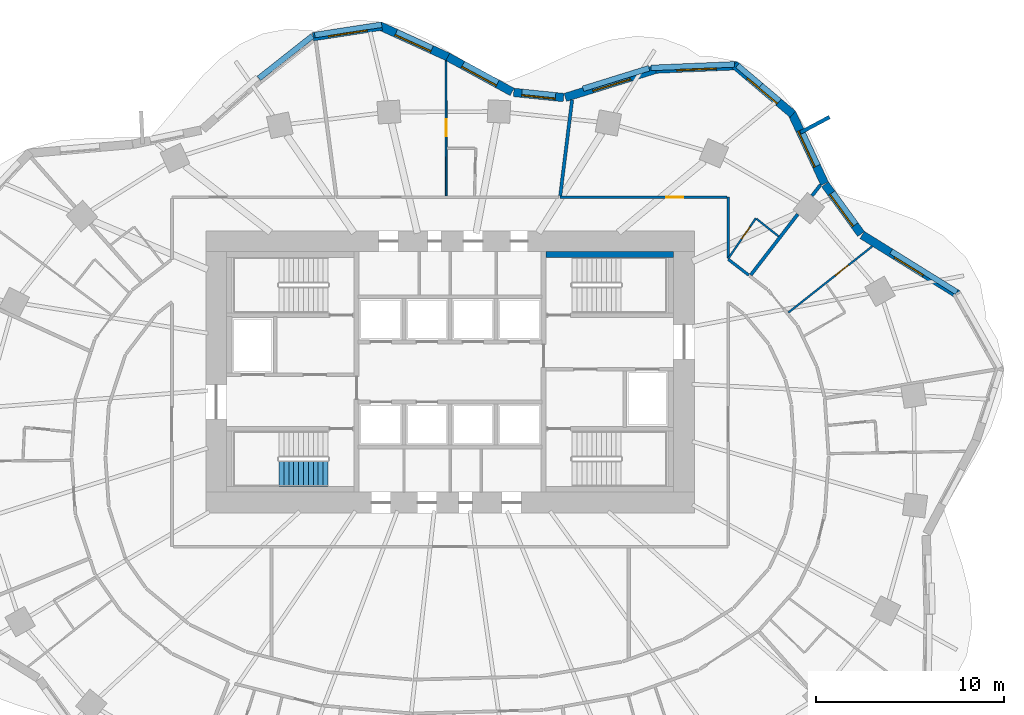
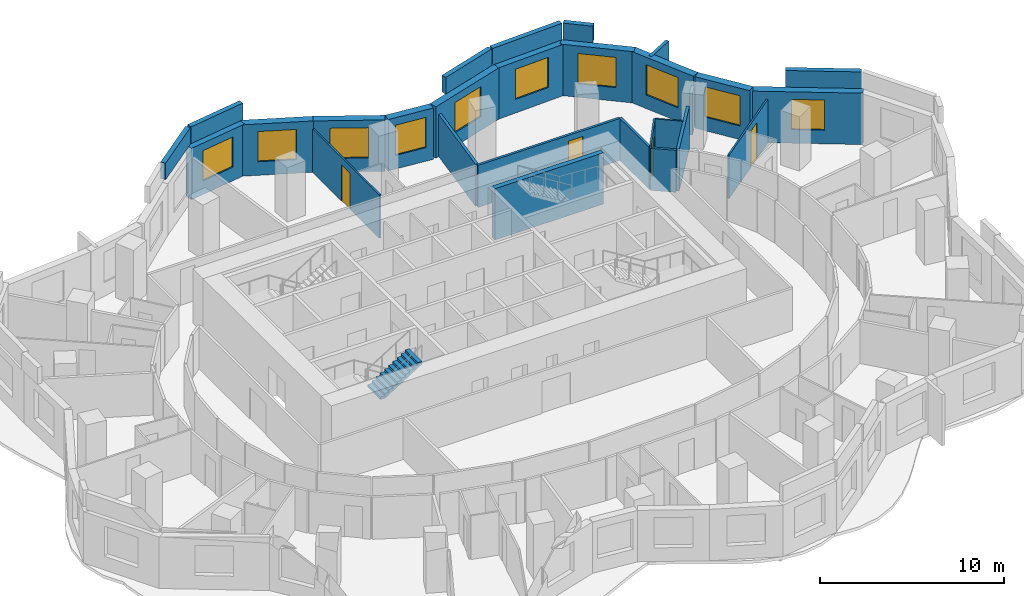
# One storey, part 9 of 11: 28 walls, 10 windows, 4 doors, 1 stair flight, 14 openings, 1 element without a shape of its own.
"""IFC4 building model written with IfcOpenShell, lengths in metres."""

from ifc_helpers import new_model, si_unit, direction, frame, frame_2d, origin, place, context, subcontext, project, spatial, polyline, rectangle, outline, extrude, material, layer, layer_set, type_object, element, fill, aggregate, save


model = new_model("IFC4")

# Units and contexts
model_context = context("Model", 3, precision=1e-05, world=origin(), true_north=direction((0.0, 1.0)))
body_context = subcontext(model_context, "Body", "Model", "MODEL_VIEW")
ifc_project = project(units=[si_unit("LENGTHUNIT", "METRE"), si_unit("AREAUNIT", "SQUARE_METRE"), si_unit("VOLUMEUNIT", "CUBIC_METRE"), si_unit("PLANEANGLEUNIT", "RADIAN"), si_unit("MASSUNIT", "GRAM", prefix="KILO")], contexts=[model_context])

# Site, building, storey
site_placement = place(None, origin())
site = spatial("IfcSite", under=ifc_project, at=site_placement, CompositionType="ELEMENT")
building_placement = place(site_placement, origin())
building = spatial("IfcBuilding", under=site, at=building_placement, Name="Rubra Terraces Tower", CompositionType="ELEMENT")
storey_placement = place(building_placement, frame((0.0, 0.0, 114.0)))
storey = spatial("IfcBuildingStorey", under=building, at=storey_placement, Name="L27", CompositionType="ELEMENT", Elevation=114.0)

# Walls
ifc_material_1 = material(Name="Twin plasterboard on staggered steel stud, acoustic mineral wool", Category="steel")
ifc_layer_1 = layer(ifc_material_1, 0.175048828125)
ifc_layer_set_1 = layer_set([ifc_layer_1], Name="Twin plasterboard on staggered steel stud, acoustic mineral wool")
wall_type_1 = type_object("IfcWallType", Name="ACOUSTIC PARTY WALL 175", PredefinedType="PARTITIONING", material=ifc_layer_set_1)
wall_1_placement = place(storey_placement, frame((19.7109375, 14.45849609375, 0.0), z_axis=(0.0, 0.0, 1.0), x_axis=(-0.611598358188, -0.791168407017, 0.0)))
element("IfcWall", 1, at=wall_1_placement, inside=storey, type_object=wall_type_1, Name="PARTITION", PredefinedType="PARTITIONING", context=body_context, shape_type="SweptSolid", body=[
    extrude(rectangle(XDim=0.73681640625, YDim=0.175048828125, at=frame_2d((0.368408203125, 0.0))), origin(), (0.0, 0.0, 1.0), 2.783935546875),
])
wall_2_placement = place(storey_placement, frame((18.50146484375, 12.893798828125, 0.0), z_axis=(0.0, 0.0, 1.0), x_axis=(-0.611500237987, -0.791244247335, 0.0)))
element("IfcWall", 2, at=wall_2_placement, inside=storey, type_object=wall_type_1, Name="PARTITION", PredefinedType="PARTITIONING", context=body_context, shape_type="SweptSolid", body=[
    extrude(rectangle(XDim=4.084228515625, YDim=0.175048828125, at=frame_2d((2.0419921875, 0.0))), origin(), (0.0, 0.0, 1.0), 2.783935546875),
])
wall_3_placement = place(storey_placement, frame((6.4931640625, 18.982421875, 0.0), z_axis=(0.0, 0.0, 1.0), x_axis=(-0.122808633413, -0.992430370131, 0.0)))
element("IfcWall", 3, at=wall_3_placement, inside=storey, type_object=wall_type_1, Name="PARTITION", PredefinedType="PARTITIONING", context=body_context, shape_type="SweptSolid", body=[
    extrude(rectangle(XDim=5.14697265625, YDim=0.175048828125, at=frame_2d((2.573486328125, 0.0))), origin(), (0.0, 0.0, 1.0), 2.783935546875),
])

# Wall, opening, window
ifc_material_2 = material(Name="Brick masonry red-brown", Category="masonry")
ifc_layer_2 = layer(ifc_material_2, 0.449951171875)
ifc_layer_set_2 = layer_set([ifc_layer_2], Name="Brick masonry red-brown")
wall_type_2 = type_object("IfcWallType", Name="Brick facade wall 450", PredefinedType="SOLIDWALL", material=ifc_layer_set_2)
wall_4_placement = place(storey_placement, frame((27.01611328125, 8.6259765625, 0.0), z_axis=(0.0, 0.0, 1.0), x_axis=(-0.849198377377, 0.528073968172, 0.0)))
wall_4 = element("IfcWall", 4, at=wall_4_placement, inside=storey, type_object=wall_type_2, Name="Facade wall L27 bay 3", PredefinedType="SOLIDWALL", context=body_context, shape_type="SweptSolid", body=[
    extrude(rectangle(XDim=5.989501953125, YDim=0.449951171875, at=frame_2d((2.99462890625, 0.0))), origin(), (0.0, 0.0, 1.0), 3.39990234375),
])
opening_1_placement = place(wall_4_placement, frame((2.0947265625, 0.0, 0.89990234375)))
opening_1 = element("IfcOpeningElement", 5, at=opening_1_placement, cuts=wall_4, Name="Opening W6", PredefinedType="OPENING", context=body_context, shape_type="SweptSolid", body=[
    extrude(rectangle(XDim=1.800048828125, YDim=2.0, at=frame_2d((0.89990234375, 1.0))), frame((0.0, 0.23486328125, 0.0), z_axis=(0.0, -1.0, 0.0), x_axis=(1.0, 0.0, 0.0)), (0.0, 0.0, 1.0), 0.469970703125),
])
ifc_material_3 = material(Name="Clear glass in aluminium frame", Category="aluminium")
window_type_1 = type_object("IfcWindowType", Name="Fixed deep-set window at wind fin 1800 x 2000", PartitioningType="SINGLE_PANEL", PredefinedType="WINDOW", material=ifc_material_3)
window_1_placement = place(opening_1_placement, origin())
window_1 = element("IfcWindow", 6, at=window_1_placement, inside=storey, type_object=window_type_1, Name="Window L27 bay 3", OverallHeight=2.0, OverallWidth=1.800048828125, PartitioningType="SINGLE_PANEL", PredefinedType="WINDOW", context=body_context, shape_type="SweptSolid", body=[
    extrude(rectangle(XDim=1.800048828125, YDim=2.0, at=frame_2d((0.89990234375, 1.0))), frame((0.0, 0.135009765625, 0.0), z_axis=(0.0, -1.0, 0.0), x_axis=(1.0, 0.0, 0.0)), (0.0, 0.0, 1.0), 0.06005859375),
])
fill(opening_1, window_1)

wall_5_placement = place(storey_placement, frame((21.872314453125, 11.840576171875, 0.0), z_axis=(0.0, 0.0, 1.0), x_axis=(-0.587562050363, 0.809179113036, 0.0)))
wall_5 = element("IfcWall", 7, at=wall_5_placement, inside=storey, type_object=wall_type_2, Name="Facade wall L27 bay 4", PredefinedType="SOLIDWALL", context=body_context, shape_type="SweptSolid", body=[
    extrude(rectangle(XDim=3.262939453125, YDim=0.449951171875, at=frame_2d((1.63134765625, 0.0))), origin(), (0.0, 0.0, 1.0), 3.39990234375),
])
opening_2_placement = place(wall_5_placement, frame((0.58154296875, 0.0, 0.89990234375)))
opening_2 = element("IfcOpeningElement", 8, at=opening_2_placement, cuts=wall_5, Name="Opening W1", PredefinedType="OPENING", context=body_context, shape_type="SweptSolid", body=[
    extrude(rectangle(XDim=2.10009765625, YDim=2.0, at=frame_2d((1.050048828125, 1.0))), frame((0.0, 0.23486328125, 0.0), z_axis=(0.0, -1.0, 0.0), x_axis=(1.0, 0.0, 0.0)), (0.0, 0.0, 1.0), 0.469970703125),
])
window_type_2 = type_object("IfcWindowType", Name="Fixed deep-set window 2100 x 2000", PartitioningType="SINGLE_PANEL", PredefinedType="WINDOW", material=ifc_material_3)
window_2_placement = place(opening_2_placement, origin())
window_2 = element("IfcWindow", 9, at=window_2_placement, inside=storey, type_object=window_type_2, Name="Window L27 bay 4", OverallHeight=2.0, OverallWidth=2.10009765625, PartitioningType="SINGLE_PANEL", PredefinedType="WINDOW", context=body_context, shape_type="SweptSolid", body=[
    extrude(rectangle(XDim=2.10009765625, YDim=2.0, at=frame_2d((1.050048828125, 1.0))), frame((0.0, 0.135009765625, 0.0), z_axis=(0.0, -1.0, 0.0), x_axis=(1.0, 0.0, 0.0)), (0.0, 0.0, 1.0), 0.06005859375),
])
fill(opening_2, window_2)

wall_6_placement = place(storey_placement, frame((19.9306640625, 14.519287109375, 0.0), z_axis=(0.0, 0.0, 1.0), x_axis=(-0.421138964136, 0.906996126169, 0.0)))
wall_6 = element("IfcWall", 10, at=wall_6_placement, inside=storey, type_object=wall_type_2, Name="Facade wall L27 bay 5", PredefinedType="SOLIDWALL", context=body_context, shape_type="SweptSolid", body=[
    extrude(rectangle(XDim=4.149658203125, YDim=0.449951171875, at=frame_2d((2.07470703125, 0.0))), origin(), (0.0, 0.0, 1.0), 3.39990234375),
])
opening_3_placement = place(wall_6_placement, frame((1.02490234375, 0.0, 0.89990234375)))
opening_3 = element("IfcOpeningElement", 11, at=opening_3_placement, cuts=wall_6, Name="Opening W1", PredefinedType="OPENING", context=body_context, shape_type="SweptSolid", body=[
    extrude(rectangle(XDim=2.10009765625, YDim=2.0, at=frame_2d((1.050048828125, 1.0))), frame((0.0, 0.23486328125, 0.0), z_axis=(0.0, -1.0, 0.0), x_axis=(1.0, 0.0, 0.0)), (0.0, 0.0, 1.0), 0.469970703125),
])
window_3_placement = place(opening_3_placement, origin())
window_3 = element("IfcWindow", 12, at=window_3_placement, inside=storey, type_object=window_type_2, Name="Window L27 bay 5", OverallHeight=2.0, OverallWidth=2.10009765625, PartitioningType="SINGLE_PANEL", PredefinedType="WINDOW", context=body_context, shape_type="SweptSolid", body=[
    extrude(rectangle(XDim=2.10009765625, YDim=2.0, at=frame_2d((1.050048828125, 1.0))), frame((0.0, 0.135009765625, 0.0), z_axis=(0.0, -1.0, 0.0), x_axis=(1.0, 0.0, 0.0)), (0.0, 0.0, 1.0), 0.06005859375),
])
fill(opening_3, window_3)

wall_7_placement = place(storey_placement, frame((18.23828125, 18.21240234375, 0.0), z_axis=(0.0, 0.0, 1.0), x_axis=(-0.762479604733, 0.647012250554, 0.0)))
wall_7 = element("IfcWall", 13, at=wall_7_placement, inside=storey, type_object=wall_type_2, Name="Facade wall L27 bay 6", PredefinedType="SOLIDWALL", context=body_context, shape_type="SweptSolid", body=[
    extrude(rectangle(XDim=4.07861328125, YDim=0.449951171875, at=frame_2d((2.039306640625, 0.0))), origin(), (0.0, 0.0, 1.0), 3.39990234375),
])
opening_4_placement = place(wall_7_placement, frame((0.989501953125, 0.0, 0.89990234375)))
opening_4 = element("IfcOpeningElement", 14, at=opening_4_placement, cuts=wall_7, Name="Opening W1", PredefinedType="OPENING", context=body_context, shape_type="SweptSolid", body=[
    extrude(rectangle(XDim=2.10009765625, YDim=2.0, at=frame_2d((1.050048828125, 1.0))), frame((0.0, 0.23486328125, 0.0), z_axis=(0.0, -1.0, 0.0), x_axis=(1.0, 0.0, 0.0)), (0.0, 0.0, 1.0), 0.469970703125),
])
window_4_placement = place(opening_4_placement, origin())
window_4 = element("IfcWindow", 15, at=window_4_placement, inside=storey, type_object=window_type_2, Name="Window L27 bay 6", OverallHeight=2.0, OverallWidth=2.10009765625, PartitioningType="SINGLE_PANEL", PredefinedType="WINDOW", context=body_context, shape_type="SweptSolid", body=[
    extrude(rectangle(XDim=2.10009765625, YDim=2.0, at=frame_2d((1.050048828125, 1.0))), frame((0.0, 0.135009765625, 0.0), z_axis=(0.0, -1.0, 0.0), x_axis=(1.0, 0.0, 0.0)), (0.0, 0.0, 1.0), 0.06005859375),
])
fill(opening_4, window_4)

wall_8_placement = place(storey_placement, frame((15.283447265625, 20.798095703125, 0.0), z_axis=(0.0, 0.0, 1.0), x_axis=(-0.999108814386, -0.042208731526, 0.0)))
wall_8 = element("IfcWall", 16, at=wall_8_placement, inside=storey, type_object=wall_type_2, Name="Facade wall L27 bay 7", PredefinedType="SOLIDWALL", context=body_context, shape_type="SweptSolid", body=[
    extrude(rectangle(XDim=4.338134765625, YDim=0.449951171875, at=frame_2d((2.1689453125, 0.0))), origin(), (0.0, 0.0, 1.0), 3.39990234375),
])
opening_5_placement = place(wall_8_placement, frame((1.119140625, 0.0, 0.89990234375)))
opening_5 = element("IfcOpeningElement", 17, at=opening_5_placement, cuts=wall_8, Name="Opening W1", PredefinedType="OPENING", context=body_context, shape_type="SweptSolid", body=[
    extrude(rectangle(XDim=2.10009765625, YDim=2.0, at=frame_2d((1.050048828125, 1.0))), frame((0.0, 0.23486328125, 0.0), z_axis=(0.0, -1.0, 0.0), x_axis=(1.0, 0.0, 0.0)), (0.0, 0.0, 1.0), 0.469970703125),
])
window_5_placement = place(opening_5_placement, origin())
window_5 = element("IfcWindow", 18, at=window_5_placement, inside=storey, type_object=window_type_2, Name="Window L27 bay 7", OverallHeight=2.0, OverallWidth=2.10009765625, PartitioningType="SINGLE_PANEL", PredefinedType="WINDOW", context=body_context, shape_type="SweptSolid", body=[
    extrude(rectangle(XDim=2.10009765625, YDim=2.0, at=frame_2d((1.050048828125, 1.0))), frame((0.0, 0.135009765625, 0.0), z_axis=(0.0, -1.0, 0.0), x_axis=(1.0, 0.0, 0.0)), (0.0, 0.0, 1.0), 0.06005859375),
])
fill(opening_5, window_5)

wall_9_placement = place(storey_placement, frame((11.006591796875, 20.625, 0.0), z_axis=(0.0, 0.0, 1.0), x_axis=(-0.954949254112, -0.296769139352, 0.0)))
wall_9 = element("IfcWall", 19, at=wall_9_placement, inside=storey, type_object=wall_type_2, Name="Facade wall L27 bay 8", PredefinedType="SOLIDWALL", context=body_context, shape_type="SweptSolid", body=[
    extrude(rectangle(XDim=5.106201171875, YDim=0.449951171875, at=frame_2d((2.55322265625, 0.0))), origin(), (0.0, 0.0, 1.0), 3.39990234375),
])
opening_6_placement = place(wall_9_placement, frame((1.503173828125, 0.0, 0.89990234375)))
opening_6 = element("IfcOpeningElement", 20, at=opening_6_placement, cuts=wall_9, Name="Opening W1", PredefinedType="OPENING", context=body_context, shape_type="SweptSolid", body=[
    extrude(rectangle(XDim=2.10009765625, YDim=2.0, at=frame_2d((1.050048828125, 1.0))), frame((0.0, 0.23486328125, 0.0), z_axis=(0.0, -1.0, 0.0), x_axis=(1.0, 0.0, 0.0)), (0.0, 0.0, 1.0), 0.469970703125),
])
window_6_placement = place(opening_6_placement, origin())
window_6 = element("IfcWindow", 21, at=window_6_placement, inside=storey, type_object=window_type_2, Name="Window L27 bay 8", OverallHeight=2.0, OverallWidth=2.10009765625, PartitioningType="SINGLE_PANEL", PredefinedType="WINDOW", context=body_context, shape_type="SweptSolid", body=[
    extrude(rectangle(XDim=2.10009765625, YDim=2.0, at=frame_2d((1.050048828125, 1.0))), frame((0.0, 0.135009765625, 0.0), z_axis=(0.0, -1.0, 0.0), x_axis=(1.0, 0.0, 0.0)), (0.0, 0.0, 1.0), 0.06005859375),
])
fill(opening_6, window_6)

wall_10_placement = place(storey_placement, frame((6.040283203125, 19.1005859375, 0.0), z_axis=(0.0, 0.0, 1.0), x_axis=(-0.994675968472, 0.103052014752, 0.0)))
wall_10 = element("IfcWall", 22, at=wall_10_placement, inside=storey, type_object=wall_type_2, Name="Facade wall L27 bay 9", PredefinedType="SOLIDWALL", context=body_context, shape_type="SweptSolid", body=[
    extrude(rectangle(XDim=2.669921875, YDim=0.449951171875, at=frame_2d((1.3349609375, 0.0))), origin(), (0.0, 0.0, 1.0), 3.39990234375),
])
opening_7_placement = place(wall_10_placement, frame((0.43505859375, 0.0, 0.89990234375)))
opening_7 = element("IfcOpeningElement", 23, at=opening_7_placement, cuts=wall_10, Name="Opening W6", PredefinedType="OPENING", context=body_context, shape_type="SweptSolid", body=[
    extrude(rectangle(XDim=1.800048828125, YDim=2.0, at=frame_2d((0.89990234375, 1.0))), frame((0.0, 0.23486328125, 0.0), z_axis=(0.0, -1.0, 0.0), x_axis=(1.0, 0.0, 0.0)), (0.0, 0.0, 1.0), 0.469970703125),
])
window_7_placement = place(opening_7_placement, origin())
window_7 = element("IfcWindow", 24, at=window_7_placement, inside=storey, type_object=window_type_1, Name="Window L27 bay 9", OverallHeight=2.0, OverallWidth=1.800048828125, PartitioningType="SINGLE_PANEL", PredefinedType="WINDOW", context=body_context, shape_type="SweptSolid", body=[
    extrude(rectangle(XDim=1.800048828125, YDim=2.0, at=frame_2d((0.89990234375, 1.0))), frame((0.0, 0.135009765625, 0.0), z_axis=(0.0, -1.0, 0.0), x_axis=(1.0, 0.0, 0.0)), (0.0, 0.0, 1.0), 0.06005859375),
])
fill(opening_7, window_7)

wall_11_placement = place(storey_placement, frame((3.302001953125, 19.40087890625, 0.0), z_axis=(0.0, 0.0, 1.0), x_axis=(-0.878060540763, 0.47854956562, 0.0)))
wall_11 = element("IfcWall", 25, at=wall_11_placement, inside=storey, type_object=wall_type_2, Name="Facade wall L27 bay 10", PredefinedType="SOLIDWALL", context=body_context, shape_type="SweptSolid", body=[
    extrude(rectangle(XDim=3.9013671875, YDim=0.449951171875, at=frame_2d((1.95068359375, 0.0))), origin(), (0.0, 0.0, 1.0), 3.39990234375),
])
opening_8_placement = place(wall_11_placement, frame((0.900634765625, 0.0, 0.89990234375)))
opening_8 = element("IfcOpeningElement", 26, at=opening_8_placement, cuts=wall_11, Name="Opening W1", PredefinedType="OPENING", context=body_context, shape_type="SweptSolid", body=[
    extrude(rectangle(XDim=2.10009765625, YDim=2.0, at=frame_2d((1.050048828125, 1.0))), frame((0.0, 0.23486328125, 0.0), z_axis=(0.0, -1.0, 0.0), x_axis=(1.0, 0.0, 0.0)), (0.0, 0.0, 1.0), 0.469970703125),
])
window_8_placement = place(opening_8_placement, origin())
window_8 = element("IfcWindow", 27, at=window_8_placement, inside=storey, type_object=window_type_2, Name="Window L27 bay 10", OverallHeight=2.0, OverallWidth=2.10009765625, PartitioningType="SINGLE_PANEL", PredefinedType="WINDOW", context=body_context, shape_type="SweptSolid", body=[
    extrude(rectangle(XDim=2.10009765625, YDim=2.0, at=frame_2d((1.050048828125, 1.0))), frame((0.0, 0.135009765625, 0.0), z_axis=(0.0, -1.0, 0.0), x_axis=(1.0, 0.0, 0.0)), (0.0, 0.0, 1.0), 0.06005859375),
])
fill(opening_8, window_8)

wall_12_placement = place(storey_placement, frame((-0.109130859375, 21.260986328125, 0.0), z_axis=(0.0, 0.0, 1.0), x_axis=(-0.910040573706, 0.414519184367, 0.0)))
wall_12 = element("IfcWall", 28, at=wall_12_placement, inside=storey, type_object=wall_type_2, Name="Facade wall L27 bay 11", PredefinedType="SOLIDWALL", context=body_context, shape_type="SweptSolid", body=[
    extrude(rectangle(XDim=4.005615234375, YDim=0.449951171875, at=frame_2d((2.0029296875, 0.0))), origin(), (0.0, 0.0, 1.0), 3.39990234375),
])
opening_9_placement = place(wall_12_placement, frame((0.952880859375, 0.0, 0.89990234375)))
opening_9 = element("IfcOpeningElement", 29, at=opening_9_placement, cuts=wall_12, Name="Opening W1", PredefinedType="OPENING", context=body_context, shape_type="SweptSolid", body=[
    extrude(rectangle(XDim=2.10009765625, YDim=2.0, at=frame_2d((1.050048828125, 1.0))), frame((0.0, 0.23486328125, 0.0), z_axis=(0.0, -1.0, 0.0), x_axis=(1.0, 0.0, 0.0)), (0.0, 0.0, 1.0), 0.469970703125),
])
window_9_placement = place(opening_9_placement, origin())
window_9 = element("IfcWindow", 30, at=window_9_placement, inside=storey, type_object=window_type_2, Name="Window L27 bay 11", OverallHeight=2.0, OverallWidth=2.10009765625, PartitioningType="SINGLE_PANEL", PredefinedType="WINDOW", context=body_context, shape_type="SweptSolid", body=[
    extrude(rectangle(XDim=2.10009765625, YDim=2.0, at=frame_2d((1.050048828125, 1.0))), frame((0.0, 0.135009765625, 0.0), z_axis=(0.0, -1.0, 0.0), x_axis=(1.0, 0.0, 0.0)), (0.0, 0.0, 1.0), 0.06005859375),
])
fill(opening_9, window_9)

wall_13_placement = place(storey_placement, frame((-3.628662109375, 22.904541015625, 0.0), z_axis=(0.0, 0.0, 1.0), x_axis=(-0.988300084321, -0.152521943772, 0.0)))
wall_13 = element("IfcWall", 31, at=wall_13_placement, inside=storey, type_object=wall_type_2, Name="Facade wall L27 bay 12", PredefinedType="SOLIDWALL", context=body_context, shape_type="SweptSolid", body=[
    extrude(rectangle(XDim=3.71044921875, YDim=0.449951171875, at=frame_2d((1.855224609375, 0.0))), origin(), (0.0, 0.0, 1.0), 3.39990234375),
])
opening_10_placement = place(wall_13_placement, frame((0.80517578125, 0.0, 0.89990234375)))
opening_10 = element("IfcOpeningElement", 32, at=opening_10_placement, cuts=wall_13, Name="Opening W1", PredefinedType="OPENING", context=body_context, shape_type="SweptSolid", body=[
    extrude(rectangle(XDim=2.10009765625, YDim=2.0, at=frame_2d((1.050048828125, 1.0))), frame((0.0, 0.23486328125, 0.0), z_axis=(0.0, -1.0, 0.0), x_axis=(1.0, 0.0, 0.0)), (0.0, 0.0, 1.0), 0.469970703125),
])
window_10_placement = place(opening_10_placement, origin())
window_10 = element("IfcWindow", 33, at=window_10_placement, inside=storey, type_object=window_type_2, Name="Window L27 bay 12", OverallHeight=2.0, OverallWidth=2.10009765625, PartitioningType="SINGLE_PANEL", PredefinedType="WINDOW", context=body_context, shape_type="SweptSolid", body=[
    extrude(rectangle(XDim=2.10009765625, YDim=2.0, at=frame_2d((1.050048828125, 1.0))), frame((0.0, 0.135009765625, 0.0), z_axis=(0.0, -1.0, 0.0), x_axis=(1.0, 0.0, 0.0)), (0.0, 0.0, 1.0), 0.06005859375),
])
fill(opening_10, window_10)

# Walls
ifc_layer_3 = layer(ifc_material_2, 0.300048828125)
ifc_layer_set_3 = layer_set([ifc_layer_3], Name="Brick masonry red-brown")
wall_type_3 = type_object("IfcWallType", Name="Brick parapet 300", PredefinedType="PARAPET", material=ifc_layer_set_3)
wall_14_placement = place(storey_placement, frame((26.965087890625, 8.74609375, 3.60009765625), z_axis=(0.0, 0.0, 1.0), x_axis=(-0.849203312007, 0.528066032686, 0.0)))
element("IfcWall", 34, at=wall_14_placement, inside=storey, type_object=wall_type_3, Name="Parapet L27 bay 3", PredefinedType="PARAPET", context=body_context, shape_type="SweptSolid", body=[
    extrude(rectangle(XDim=4.11279296875, YDim=0.300048828125, at=frame_2d((2.056396484375, 0.0))), origin(), (0.0, 0.0, 1.0), 1.099853515625),
])
wall_15_placement = place(storey_placement, frame((16.54150390625, 19.75048828125, 3.60009765625), z_axis=(0.0, 0.0, 1.0), x_axis=(-0.762426907318, 0.647074347349, 0.0)))
element("IfcWall", 35, at=wall_15_placement, inside=storey, type_object=wall_type_3, Name="Parapet L27 bay 6", PredefinedType="PARAPET", context=body_context, shape_type="SweptSolid", body=[
    extrude(rectangle(XDim=1.642333984375, YDim=0.300048828125, at=frame_2d((0.8212890625, 0.0))), origin(), (0.0, 0.0, 1.0), 1.099853515625),
])
wall_16_placement = place(storey_placement, frame((15.133056640625, 20.866943359375, 3.60009765625), z_axis=(0.0, 0.0, 1.0), x_axis=(-0.999109914186, -0.042182690458, 0.0)))
element("IfcWall", 36, at=wall_16_placement, inside=storey, type_object=wall_type_3, Name="Parapet L27 bay 7", PredefinedType="PARAPET", context=body_context, shape_type="SweptSolid", body=[
    extrude(rectangle(XDim=4.45068359375, YDim=0.300048828125, at=frame_2d((2.225341796875, 0.0))), origin(), (0.0, 0.0, 1.0), 1.099853515625),
])
wall_17_placement = place(storey_placement, frame((10.589599609375, 20.662353515625, 3.60009765625), z_axis=(0.0, 0.0, 1.0), x_axis=(-0.954933257017, -0.296820610207, 0.0)))
element("IfcWall", 37, at=wall_17_placement, inside=storey, type_object=wall_type_3, Name="Parapet L27 bay 8", PredefinedType="PARAPET", context=body_context, shape_type="SweptSolid", body=[
    extrude(rectangle(XDim=3.6806640625, YDim=0.300048828125, at=frame_2d((1.84033203125, 0.0))), origin(), (0.0, 0.0, 1.0), 1.099853515625),
])
wall_18_placement = place(storey_placement, frame((-3.64013671875, 22.978759765625, 3.60009765625), z_axis=(0.0, 0.0, 1.0), x_axis=(-0.988299486994, -0.152525814235, 0.0)))
element("IfcWall", 38, at=wall_18_placement, inside=storey, type_object=wall_type_3, Name="Parapet L27 bay 12", PredefinedType="PARAPET", context=body_context, shape_type="SweptSolid", body=[
    extrude(rectangle(XDim=3.6015625, YDim=0.300048828125, at=frame_2d((1.80078125, 0.0))), origin(), (0.0, 0.0, 1.0), 1.099853515625),
])
wall_19_placement = place(storey_placement, frame((-7.322509765625, 22.375732421875, 3.60009765625), z_axis=(0.0, 0.0, 1.0), x_axis=(-0.784819122577, -0.61972489448, 0.0)))
element("IfcWall", 39, at=wall_19_placement, inside=storey, type_object=wall_type_3, Name="Parapet L27 bay 13", PredefinedType="PARAPET", context=body_context, shape_type="SweptSolid", body=[
    extrude(rectangle(XDim=3.63330078125, YDim=0.300048828125, at=frame_2d((1.816650390625, 0.0))), origin(), (0.0, 0.0, 1.0), 1.099853515625),
])
ifc_layer_4 = layer(ifc_material_2, 0.199951171875)
ifc_layer_set_4 = layer_set([ifc_layer_4], Name="Brick masonry red-brown")
wall_type_4 = type_object("IfcWallType", Name="Brick wind fin 200", PredefinedType="SOLIDWALL", material=ifc_layer_set_4)
wall_20_placement = place(storey_placement, frame((18.65087890625, 17.242919921875, 0.0), z_axis=(0.0, 0.0, 1.0), x_axis=(0.882225472329, 0.470827161466, 0.0)))
element("IfcWall", 40, at=wall_20_placement, inside=storey, type_object=wall_type_4, Name="Wind fin L27 3", PredefinedType="SOLIDWALL", context=body_context, shape_type="SweptSolid", body=[
    extrude(rectangle(XDim=1.75, YDim=0.199951171875, at=frame_2d((0.875, 0.0))), origin(), (0.0, 0.0, 1.0), 3.39990234375),
])
ifc_material_4 = material(Name="Plasterboard on steel stud, mineral wool infill", Category="steel")
ifc_layer_5 = layer(ifc_material_4, 0.14990234375)
ifc_layer_set_5 = layer_set([ifc_layer_5], Name="Plasterboard on steel stud, mineral wool infill")
wall_type_5 = type_object("IfcWallType", Name="CORRIDOR PARTITION 150", PredefinedType="PARTITIONING", material=ifc_layer_set_5)
wall_21_placement = place(storey_placement, frame((15.898681640625, 9.648681640625, 0.0), z_axis=(0.0, 0.0, 1.0), x_axis=(-0.791563451323, 0.611086984421, 0.0)))
element("IfcWall", 41, at=wall_21_placement, inside=storey, type_object=wall_type_5, Name="PARTITION", PredefinedType="PARTITIONING", context=body_context, shape_type="SweptSolid", body=[
    extrude(rectangle(XDim=1.387939453125, YDim=0.14990234375, at=frame_2d((0.69384765625, 0.0))), origin(), (0.0, 0.0, 1.0), 2.783935546875),
])
wall_22_placement = place(storey_placement, frame((14.800048828125, 10.57177734375, 0.0), z_axis=(0.0, 0.0, 1.0), x_axis=(0.0, 1.0, 0.0)))
element("IfcWall", 42, at=wall_22_placement, inside=storey, type_object=wall_type_5, Name="PARTITION", PredefinedType="PARTITIONING", context=body_context, shape_type="SweptSolid", body=[
    extrude(rectangle(XDim=3.228271484375, YDim=0.14990234375, at=frame_2d((1.6142578125, 0.0))), origin(), (0.0, 0.0, 1.0), 2.783935546875),
])

# Wall, opening, door
wall_23_placement = place(storey_placement, frame((14.72509765625, 13.800048828125, 0.0), z_axis=(0.0, 0.0, 1.0), x_axis=(-1.0, 0.0, 0.0)))
wall_23 = element("IfcWall", 43, at=wall_23_placement, inside=storey, type_object=wall_type_5, Name="PARTITION", PredefinedType="PARTITIONING", context=body_context, shape_type="SweptSolid", body=[
    extrude(rectangle(XDim=8.873291015625, YDim=0.14990234375, at=frame_2d((4.4365234375, 0.0))), origin(), (0.0, 0.0, 1.0), 2.783935546875),
])
opening_11_placement = place(wall_23_placement, frame((2.31591796875, 0.0, 0.0)))
opening_11 = element("IfcOpeningElement", 44, at=opening_11_placement, cuts=wall_23, Name="Opening 27-116", PredefinedType="OPENING", context=body_context, shape_type="SweptSolid", body=[
    extrude(rectangle(XDim=0.89990234375, YDim=2.39990234375, at=frame_2d((0.449951171875, 1.199951171875))), frame((0.0, 0.0849609375, 0.0), z_axis=(0.0, -1.0, 0.0), x_axis=(1.0, 0.0, 0.0)), (0.0, 0.0, 1.0), 0.169921875),
])
ifc_material_5 = material(Name="Veneered timber door leaf, fire-rated", Category="wood")
door_type_1 = type_object("IfcDoorType", Name="SUITE ENTRANCE DOOR 900 X 2400", OperationType="SINGLE_SWING_LEFT", PredefinedType="DOOR", material=ifc_material_5)
door_1_placement = place(opening_11_placement, origin())
door_1 = element("IfcDoor", 45, at=door_1_placement, inside=storey, type_object=door_type_1, Name="DOOR 27-116", OperationType="SINGLE_SWING_RIGHT", OverallHeight=2.39990234375, OverallWidth=0.89990234375, PredefinedType="DOOR", context=body_context, shape_type="SweptSolid", body=[
    extrude(rectangle(XDim=0.89990234375, YDim=2.39990234375, at=frame_2d((0.449951171875, 1.199951171875))), frame((0.0, 0.02490234375, 0.0), z_axis=(0.0, -1.0, 0.0), x_axis=(1.0, 0.0, 0.0)), (0.0, 0.0, 1.0), 0.050048828125),
])
fill(opening_11, door_1)

# Wall
ifc_material_6 = material(Name="Concrete C40", Category="concrete")
ifc_layer_6 = layer(ifc_material_6, 0.300048828125)
ifc_layer_set_6 = layer_set([ifc_layer_6], Name="Concrete C40")
wall_type_6 = type_object("IfcWallType", Name="Core lining wall 300 concrete", PredefinedType="SOLIDWALL", material=ifc_layer_set_6)
wall_24_placement = place(storey_placement, frame((11.89990234375, 10.75, 0.0), z_axis=(0.0, 0.0, 1.0), x_axis=(-1.0, 0.0, 0.0)))
element("IfcWall", 46, at=wall_24_placement, inside=storey, type_object=wall_type_6, Name="CORE LINING WALL L27", PredefinedType="SOLIDWALL", context=body_context, shape_type="SweptSolid", body=[
    extrude(rectangle(XDim=6.7998046875, YDim=0.300048828125, at=frame_2d((3.39990234375, 0.0))), origin(), (0.0, 0.0, 1.0), 3.39990234375),
])

# Wall, opening, door
ifc_material_7 = material(Name="Plasterboard on steel stud", Category="steel")
ifc_layer_7 = layer(ifc_material_7, 0.10009765625)
ifc_layer_set_7 = layer_set([ifc_layer_7], Name="Plasterboard on steel stud")
wall_type_7 = type_object("IfcWallType", Name="ROOM PARTITION 100", PredefinedType="PARTITIONING", material=ifc_layer_set_7)
wall_25_placement = place(storey_placement, frame((22.470458984375, 11.18798828125, 0.0), z_axis=(0.0, 0.0, 1.0), x_axis=(-0.784826732548, -0.619715257096, 0.0)))
wall_25 = element("IfcWall", 47, at=wall_25_placement, inside=storey, type_object=wall_type_7, Name="PARTITION", PredefinedType="PARTITIONING", context=body_context, shape_type="SweptSolid", body=[
    extrude(rectangle(XDim=5.688232421875, YDim=0.10009765625, at=frame_2d((2.84423828125, 0.0))), origin(), (0.0, 0.0, 1.0), 2.884033203125),
])
opening_12_placement = place(wall_25_placement, frame((1.613037109375, 0.0, 0.0)))
opening_12 = element("IfcOpeningElement", 48, at=opening_12_placement, cuts=wall_25, Name="Opening 27-113", PredefinedType="OPENING", context=body_context, shape_type="SweptSolid", body=[
    extrude(rectangle(XDim=0.89990234375, YDim=2.39990234375, at=frame_2d((0.449951171875, 1.199951171875))), frame((0.0, 0.06005859375, 0.0), z_axis=(0.0, -1.0, 0.0), x_axis=(1.0, 0.0, 0.0)), (0.0, 0.0, 1.0), 0.1201171875),
])
door_2_placement = place(opening_12_placement, origin())
door_2 = element("IfcDoor", 49, at=door_2_placement, inside=storey, type_object=door_type_1, Name="DOOR 27-113", OperationType="SINGLE_SWING_LEFT", OverallHeight=2.39990234375, OverallWidth=0.89990234375, PredefinedType="DOOR", context=body_context, shape_type="SweptSolid", body=[
    extrude(rectangle(XDim=0.89990234375, YDim=2.39990234375, at=frame_2d((0.449951171875, 1.199951171875))), frame((0.0, 0.02490234375, 0.0), z_axis=(0.0, -1.0, 0.0), x_axis=(1.0, 0.0, 0.0)), (0.0, 0.0, 1.0), 0.050048828125),
])
fill(opening_12, door_2)

wall_26_placement = place(storey_placement, frame((14.800048828125, 10.533935546875, 0.0), z_axis=(0.0, 0.0, 1.0), x_axis=(0.565831232007, 0.824521083348, 0.0)))
wall_26 = element("IfcWall", 50, at=wall_26_placement, inside=storey, type_object=wall_type_7, Name="PARTITION", PredefinedType="PARTITIONING", context=body_context, shape_type="SweptSolid", body=[
    extrude(rectangle(XDim=2.60009765625, YDim=0.10009765625, at=frame_2d((1.300048828125, 0.0))), origin(), (0.0, 0.0, 1.0), 2.884033203125),
])
opening_13_placement = place(wall_26_placement, frame((1.25, 0.0, 0.0)))
opening_13 = element("IfcOpeningElement", 51, at=opening_13_placement, cuts=wall_26, Name="Opening 27-115", PredefinedType="OPENING", context=body_context, shape_type="SweptSolid", body=[
    extrude(rectangle(XDim=0.800048828125, YDim=2.10009765625, at=frame_2d((0.39990234375, 1.050048828125))), frame((0.0, 0.06005859375, 0.0), z_axis=(0.0, -1.0, 0.0), x_axis=(1.0, 0.0, 0.0)), (0.0, 0.0, 1.0), 0.1201171875),
])
ifc_material_8 = material(Name="Painted timber door leaf", Category="wood")
door_type_2 = type_object("IfcDoorType", Name="BATHROOM DOOR 800 X 2100", OperationType="SINGLE_SWING_LEFT", PredefinedType="DOOR", material=ifc_material_8)
door_3_placement = place(opening_13_placement, origin())
door_3 = element("IfcDoor", 52, at=door_3_placement, inside=storey, type_object=door_type_2, Name="DOOR 27-115", OperationType="SINGLE_SWING_LEFT", OverallHeight=2.10009765625, OverallWidth=0.800048828125, PredefinedType="DOOR", context=body_context, shape_type="SweptSolid", body=[
    extrude(rectangle(XDim=0.800048828125, YDim=2.10009765625, at=frame_2d((0.39990234375, 1.050048828125))), frame((0.0, 0.02490234375, 0.0), z_axis=(0.0, -1.0, 0.0), x_axis=(1.0, 0.0, 0.0)), (0.0, 0.0, 1.0), 0.050048828125),
])
fill(opening_13, door_3)

# Wall
wall_27_placement = place(storey_placement, frame((16.310302734375, 12.646484375, 0.0), z_axis=(0.0, 0.0, 1.0), x_axis=(0.781989254078, -0.623291911151, 0.0)))
element("IfcWall", 53, at=wall_27_placement, inside=storey, type_object=wall_type_7, Name="PARTITION", PredefinedType="PARTITIONING", context=body_context, shape_type="SweptSolid", body=[
    extrude(rectangle(XDim=1.507568359375, YDim=0.10009765625, at=frame_2d((0.75390625, 0.0))), origin(), (0.0, 0.0, 1.0), 2.884033203125),
])

# Wall, opening, door
wall_28_placement = place(storey_placement, frame((-0.21923828125, 21.059326171875, 0.0), z_axis=(0.0, 0.0, 1.0), x_axis=(0.002344778955, -0.999997251002, 0.0)))
wall_28 = element("IfcWall", 54, at=wall_28_placement, inside=storey, type_object=wall_type_7, Name="PARTITION", PredefinedType="PARTITIONING", context=body_context, shape_type="SweptSolid", body=[
    extrude(rectangle(XDim=7.184326171875, YDim=0.10009765625, at=frame_2d((3.59228515625, 0.0))), origin(), (0.0, 0.0, 1.0), 2.884033203125),
])
opening_14_placement = place(wall_28_placement, frame((3.10888671875, 0.0, 0.0)))
opening_14 = element("IfcOpeningElement", 55, at=opening_14_placement, cuts=wall_28, Name="Opening 27-118", PredefinedType="OPENING", context=body_context, shape_type="SweptSolid", body=[
    extrude(rectangle(XDim=0.89990234375, YDim=2.39990234375, at=frame_2d((0.449951171875, 1.199951171875))), frame((0.0, 0.06005859375, 0.0), z_axis=(0.0, -1.0, 0.0), x_axis=(1.0, 0.0, 0.0)), (0.0, 0.0, 1.0), 0.1201171875),
])
door_4_placement = place(opening_14_placement, origin())
door_4 = element("IfcDoor", 56, at=door_4_placement, inside=storey, type_object=door_type_1, Name="DOOR 27-118", OperationType="SINGLE_SWING_LEFT", OverallHeight=2.39990234375, OverallWidth=0.89990234375, PredefinedType="DOOR", context=body_context, shape_type="SweptSolid", body=[
    extrude(rectangle(XDim=0.89990234375, YDim=2.39990234375, at=frame_2d((0.449951171875, 1.199951171875))), frame((0.0, 0.02490234375, 0.0), z_axis=(0.0, -1.0, 0.0), x_axis=(1.0, 0.0, 0.0)), (0.0, 0.0, 1.0), 0.050048828125),
])
fill(opening_14, door_4)

# Stair, stair flight
stair_type = type_object("IfcStairType", Name="Core stair 1400", PredefinedType="HALF_TURN_STAIR", material=ifc_material_6)
stair_placement = place(storey_placement, origin())
stair = element("IfcStair", 57, at=stair_placement, inside=storey, type_object=stair_type, Name="L27 Exit stair S1", PredefinedType="HALF_TURN_STAIR")
stair_flight_type = type_object("IfcStairFlightType", Name="Core stair flight 1400", PredefinedType="STRAIGHT", material=ifc_material_6)
stair_flight_placement = place(storey_placement, frame((-9.10009765625, -0.89990234375, 1.800048828125), z_axis=(0.0, 0.0, 1.0), x_axis=(1.0, 0.0, 0.0)))
stair_flight = element("IfcStairFlight", 58, at=stair_flight_placement, type_object=stair_flight_type, Name="S1 flight 2", NumberOfRisers=11, NumberOfTreads=10, PredefinedType="STRAIGHT", RiserHeight=0.163636364, TreadLength=0.26, context=body_context, shape_type="SweptSolid", body=[
    extrude(outline(polyline([(0.0, 0.0), (0.0, 0.16357421875), (0.260009765625, 0.16357421875), (0.260009765625, 0.327392578125), (0.52001953125, 0.327392578125), (0.52001953125, 0.490966796875), (0.780029296875, 0.490966796875), (0.780029296875, 0.654541015625), (1.0400390625, 0.654541015625), (1.0400390625, 0.818115234375), (1.300048828125, 0.818115234375), (1.300048828125, 0.98193359375), (1.56005859375, 0.98193359375), (1.56005859375, 1.1455078125), (1.820068359375, 1.1455078125), (1.820068359375, 1.30908203125), (2.080078125, 1.30908203125), (2.080078125, 1.47265625), (2.340087890625, 1.47265625), (2.340087890625, 1.636474609375), (2.60009765625, 1.636474609375), (2.60009765625, 1.800048828125), (2.60009765625, 1.459228515625), (0.281494140625, 0.0), (0.0, 0.0)])), frame((0.0, 0.699951171875, 0.0), z_axis=(0.0, -1.0, 0.0), x_axis=(1.0, 0.0, 0.0)), (0.0, 0.0, 1.0), 1.39990234375),
])
aggregate(stair, [stair_flight])

save(model, "model.ifc")
